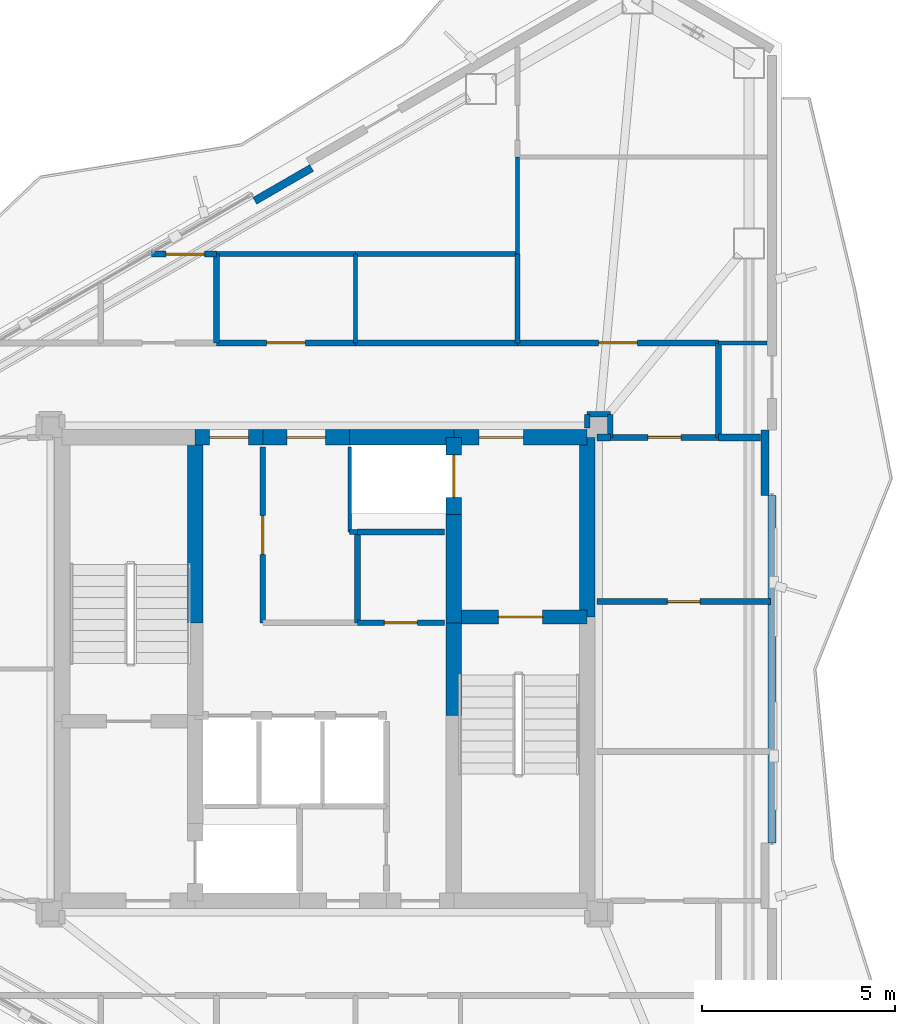
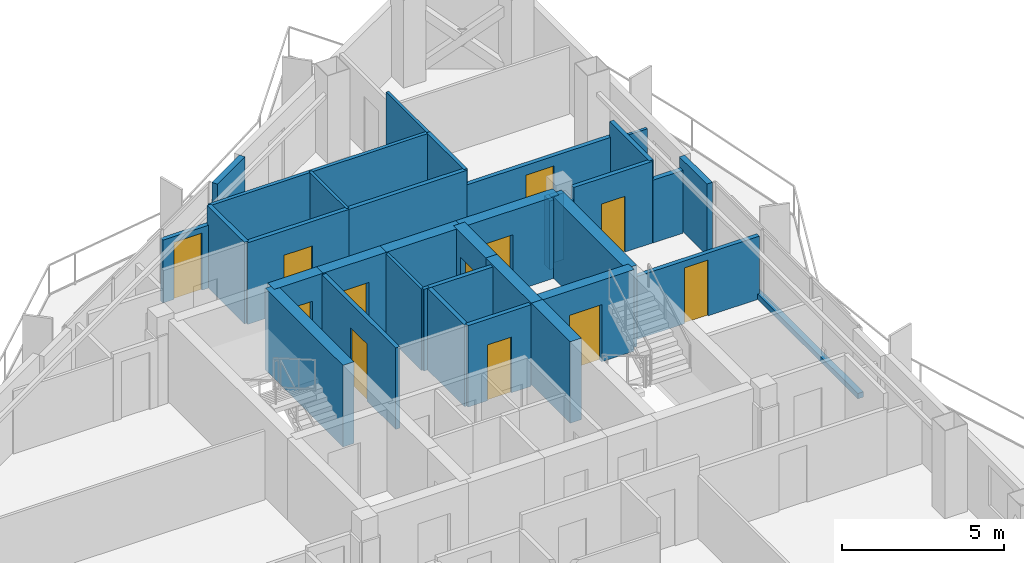
# One storey, part 18 of 21: 38 walls, 12 doors, 12 openings.
"""IFC4 building model written with IfcOpenShell, lengths in metres."""

from ifc_helpers import new_model, si_unit, direction, frame, frame_2d, origin, place, context, subcontext, project, spatial, rectangle, extrude, material, layer, layer_set, type_object, element, fill, save


model = new_model("IFC4")

# Units and contexts
model_context = context("Model", 3, precision=1e-05, world=origin(), true_north=direction((0.0, 1.0)))
body_context = subcontext(model_context, "Body", "Model", "MODEL_VIEW")
ifc_project = project(units=[si_unit("LENGTHUNIT", "METRE"), si_unit("AREAUNIT", "SQUARE_METRE"), si_unit("VOLUMEUNIT", "CUBIC_METRE"), si_unit("PLANEANGLEUNIT", "RADIAN"), si_unit("MASSUNIT", "GRAM", prefix="KILO")], contexts=[model_context])

# Site, building, storey
site_placement = place(None, origin())
site = spatial("IfcSite", under=ifc_project, at=site_placement, CompositionType="ELEMENT")
building_placement = place(site_placement, origin())
building = spatial("IfcBuilding", under=site, at=building_placement, Name="Mersakhor Tower and Convention Hall", CompositionType="ELEMENT")
storey_placement = place(building_placement, frame((0.0, 0.0, 211.800048828125)))
storey = spatial("IfcBuildingStorey", under=building, at=storey_placement, Name="L59", CompositionType="ELEMENT", Elevation=211.800048828125)

# Walls
ifc_material_1 = material(Name="Precast concrete C40/50", Category="concrete")
ifc_layer_1 = layer(ifc_material_1, 0.199951171875)
ifc_layer_set_1 = layer_set([ifc_layer_1], Name="Precast concrete C40/50")
wall_type_1 = type_object("IfcWallType", Name="WL-PAR-200", PredefinedType="PARAPET", material=ifc_layer_set_1)
wall_1_placement = place(storey_placement, frame((27.1923828125, 38.879638671875, 0.0), z_axis=(0.0, 0.0, 1.0), x_axis=(0.866025371046, 0.500000056704, 0.0)))
element("IfcWall", 1, at=wall_1_placement, inside=storey, type_object=wall_type_1, Name="L59 Column Pier Cladding Wall F1-C2", PredefinedType="PARAPET", context=body_context, shape_type="SweptSolid", body=[
    extrude(rectangle(XDim=1.7001953125, YDim=0.199951171875, at=frame_2d((0.85009765625, 0.0))), origin(), (0.0, 0.0, 1.0), 2.68994140625),
])
wall_2_placement = place(storey_placement, frame((40.58837890625, 31.24951171875, 0.0), z_axis=(0.0, 0.0, 1.0), x_axis=(0.0, -1.0, 0.0)))
element("IfcWall", 2, at=wall_2_placement, inside=storey, type_object=wall_type_1, Name="L59 Curtain Wall Upstand Sill F2-B2", PredefinedType="PARAPET", context=body_context, shape_type="SweptSolid", body=[
    extrude(rectangle(XDim=8.9990234375, YDim=0.199951171875, at=frame_2d((4.49951171875, 0.0))), origin(), (0.0, 0.0, 1.0), 0.199951171875),
])
wall_3_placement = place(storey_placement, frame((40.408447265625, 32.949462890625, 0.0), z_axis=(0.0, 0.0, 1.0), x_axis=(0.0, -1.0, 0.0)))
element("IfcWall", 3, at=wall_3_placement, inside=storey, type_object=wall_type_1, Name="L59 Column Pier Cladding Wall F2-C1", PredefinedType="PARAPET", context=body_context, shape_type="SweptSolid", body=[
    extrude(rectangle(XDim=1.699951171875, YDim=0.199951171875, at=frame_2d((0.85009765625, 0.0))), origin(), (0.0, 0.0, 1.0), 2.68994140625),
])
ifc_material_2 = material(Name="Moisture-resistant acoustic drywall studwork", Category="other")
ifc_layer_2 = layer(ifc_material_2, 0.175048828125)
ifc_layer_set_2 = layer_set([ifc_layer_2], Name="Moisture-resistant acoustic drywall studwork")
wall_type_2 = type_object("IfcWallType", Name="WL-PLM-175", PredefinedType="PLUMBINGWALL", material=ifc_layer_set_2)
wall_4_placement = place(storey_placement, frame((36.050048828125, 32.75, 0.0), z_axis=(0.0, 0.0, 1.0), x_axis=(1.0, 0.0, 0.0)))
element("IfcWall", 4, at=wall_4_placement, inside=storey, type_object=wall_type_2, Name="L59 Interior Partition Wall P-046", PredefinedType="PLUMBINGWALL", context=body_context, shape_type="SweptSolid", body=[
    extrude(rectangle(XDim=0.349853515625, YDim=0.175048828125, at=frame_2d((0.1748046875, 0.0))), origin(), (0.0, 0.0, 1.0), 2.594970703125),
])
wall_5_placement = place(storey_placement, frame((39.199951171875, 32.75, 0.0), z_axis=(0.0, 0.0, 1.0), x_axis=(1.0, 0.0, 0.0)))
element("IfcWall", 5, at=wall_5_placement, inside=storey, type_object=wall_type_2, Name="L59 Interior Partition Wall P-047", PredefinedType="PLUMBINGWALL", context=body_context, shape_type="SweptSolid", body=[
    extrude(rectangle(XDim=1.08447265625, YDim=0.175048828125, at=frame_2d((0.542236328125, 0.0))), origin(), (0.0, 0.0, 1.0), 2.364990234375),
])
ifc_material_3 = material(Name="Lightweight gypsum partition", Category="other")
ifc_layer_3 = layer(ifc_material_3, 0.10009765625)
ifc_layer_set_3 = layer_set([ifc_layer_3], Name="Lightweight gypsum partition")
wall_type_3 = type_object("IfcWallType", Name="WL-PRT-100", PredefinedType="PARTITIONING", material=ifc_layer_set_3)
wall_6_placement = place(storey_placement, frame((29.64990234375, 30.300048828125, 0.0), z_axis=(0.0, 0.0, 1.0), x_axis=(0.0, 1.0, 0.0)))
element("IfcWall", 6, at=wall_6_placement, inside=storey, type_object=wall_type_3, Name="L59 Interior Partition Wall P-006", PredefinedType="PARTITIONING", context=body_context, shape_type="SweptSolid", body=[
    extrude(rectangle(XDim=2.199951171875, YDim=0.10009765625, at=frame_2d((1.10009765625, 0.0))), origin(), (0.0, 0.0, 1.0), 3.070068359375),
])
wall_7_placement = place(storey_placement, frame((29.800048828125, 37.5, 0.0), z_axis=(0.0, 0.0, 1.0), x_axis=(0.0, -1.0, 0.0)))
element("IfcWall", 7, at=wall_7_placement, inside=storey, type_object=wall_type_3, Name="L59 Interior Partition Wall P-064", PredefinedType="PARTITIONING", context=body_context, shape_type="SweptSolid", body=[
    extrude(rectangle(XDim=2.300048828125, YDim=0.10009765625, at=frame_2d((1.14990234375, 0.0))), origin(), (0.0, 0.0, 1.0), 3.070068359375),
])
wall_8_placement = place(storey_placement, frame((34.0, 40.010009765625, 0.0), z_axis=(0.0, 0.0, 1.0), x_axis=(0.0, -1.0, 0.0)))
element("IfcWall", 8, at=wall_8_placement, inside=storey, type_object=wall_type_3, Name="L59 Interior Partition Wall P-066", PredefinedType="PARTITIONING", context=body_context, shape_type="SweptSolid", body=[
    extrude(rectangle(XDim=2.510009765625, YDim=0.10009765625, at=frame_2d((1.2548828125, 0.0))), origin(), (0.0, 0.0, 1.0), 3.070068359375),
])
wall_9_placement = place(storey_placement, frame((40.451904296875, 35.199951171875, 0.0), z_axis=(0.0, 0.0, 1.0), x_axis=(-1.0, 0.0, 0.0)))
element("IfcWall", 9, at=wall_9_placement, inside=storey, type_object=wall_type_3, Name="L59 Interior Partition Wall P-068", PredefinedType="PARTITIONING", context=body_context, shape_type="SweptSolid", body=[
    extrude(rectangle(XDim=1.251953125, YDim=0.10009765625, at=frame_2d((0.6259765625, 0.0))), origin(), (0.0, 0.0, 1.0), 2.364990234375),
])
ifc_material_4 = material(Name="Gypsum board acoustic partition", Category="other")
ifc_layer_4 = layer(ifc_material_4, 0.125)
ifc_layer_set_4 = layer_set([ifc_layer_4], Name="Gypsum board acoustic partition")
wall_type_4 = type_object("IfcWallType", Name="WL-PRT-125", PredefinedType="PARTITIONING", material=ifc_layer_set_4)
wall_10_placement = place(storey_placement, frame((29.85009765625, 30.300048828125, 0.0), z_axis=(0.0, 0.0, 1.0), x_axis=(-1.0, 0.0, 0.0)))
element("IfcWall", 10, at=wall_10_placement, inside=storey, type_object=wall_type_4, Name="L59 Interior Partition Wall P-005", PredefinedType="PARTITIONING", context=body_context, shape_type="SweptSolid", body=[
    extrude(rectangle(XDim=0.2001953125, YDim=0.125, at=frame_2d((0.10009765625, 0.0))), origin(), (0.0, 0.0, 1.0), 3.070068359375),
])
wall_11_placement = place(storey_placement, frame((26.199951171875, 37.5, 0.0), z_axis=(0.0, 0.0, 1.0), x_axis=(1.0, 0.0, 0.0)))
element("IfcWall", 11, at=wall_11_placement, inside=storey, type_object=wall_type_4, Name="L59 Interior Partition Wall P-063", PredefinedType="PARTITIONING", context=body_context, shape_type="SweptSolid", body=[
    extrude(rectangle(XDim=3.60009765625, YDim=0.125, at=frame_2d((1.800048828125, 0.0))), origin(), (0.0, 0.0, 1.0), 3.070068359375),
])
wall_12_placement = place(storey_placement, frame((34.0, 37.5, 0.0), z_axis=(0.0, 0.0, 1.0), x_axis=(-1.0, 0.0, 0.0)))
element("IfcWall", 12, at=wall_12_placement, inside=storey, type_object=wall_type_4, Name="L59 Interior Partition Wall P-067", PredefinedType="PARTITIONING", context=body_context, shape_type="SweptSolid", body=[
    extrude(rectangle(XDim=4.199951171875, YDim=0.125, at=frame_2d((2.10009765625, 0.0))), origin(), (0.0, 0.0, 1.0), 3.070068359375),
])
wall_13_placement = place(storey_placement, frame((34.0, 35.199951171875, 0.0), z_axis=(0.0, 0.0, 1.0), x_axis=(0.0, 1.0, 0.0)))
element("IfcWall", 13, at=wall_13_placement, inside=storey, type_object=wall_type_4, Name="L59 Interior Partition Wall P-069", PredefinedType="PARTITIONING", context=body_context, shape_type="SweptSolid", body=[
    extrude(rectangle(XDim=2.300048828125, YDim=0.125, at=frame_2d((1.14990234375, 0.0))), origin(), (0.0, 0.0, 1.0), 3.070068359375),
])
ifc_material_5 = material(Name="Fire-rated gypsum board stud partition", Category="other")
ifc_layer_5 = layer(ifc_material_5, 0.14990234375)
ifc_layer_set_5 = layer_set([ifc_layer_5], Name="Fire-rated gypsum board stud partition")
wall_type_5 = type_object("IfcWallType", Name="WL-PRT-150", PredefinedType="PARTITIONING", material=ifc_layer_set_5)
wall_14_placement = place(storey_placement, frame((32.10009765625, 30.300048828125, 0.0), z_axis=(0.0, 0.0, 1.0), x_axis=(-1.0, 0.0, 0.0)))
element("IfcWall", 14, at=wall_14_placement, inside=storey, type_object=wall_type_5, Name="L59 Interior Partition Wall P-004", PredefinedType="PARTITIONING", context=body_context, shape_type="SweptSolid", body=[
    extrude(rectangle(XDim=2.25, YDim=0.14990234375, at=frame_2d((1.125, 0.0))), origin(), (0.0, 0.0, 1.0), 3.070068359375),
])

# Wall, opening, door
wall_15_placement = place(storey_placement, frame((27.39990234375, 32.5, 0.0), z_axis=(0.0, 0.0, 1.0), x_axis=(0.0, -1.0, 0.0)))
wall_15 = element("IfcWall", 15, at=wall_15_placement, inside=storey, type_object=wall_type_5, Name="L59 Interior Partition Wall P-013", PredefinedType="PARTITIONING", context=body_context, shape_type="SweptSolid", body=[
    extrude(rectangle(XDim=4.550048828125, YDim=0.14990234375, at=frame_2d((2.27490234375, 0.0))), origin(), (0.0, 0.0, 1.0), 3.070068359375),
])
opening_1_placement = place(wall_15_placement, frame((1.77490234375, 0.0, 0.0)))
opening_1 = element("IfcOpeningElement", 16, at=opening_1_placement, cuts=wall_15, Name="Opening FD-01", PredefinedType="OPENING", context=body_context, shape_type="SweptSolid", body=[
    extrude(rectangle(XDim=1.0, YDim=2.14990234375, at=frame_2d((0.5, 1.074951171875))), frame((0.0, 0.0849609375, 0.0), z_axis=(0.0, -1.0, 0.0), x_axis=(1.0, 0.0, 0.0)), (0.0, 0.0, 1.0), 0.169921875),
])
ifc_material_6 = material(Name="Fire-rated hardwood leaf and painted steel frame", Category="steel")
door_type_1 = type_object("IfcDoorType", Name="DR-INT-FLT-100x215", OperationType="NOTDEFINED", PredefinedType="DOOR", material=ifc_material_6)
door_1_placement = place(opening_1_placement, origin())
door_1 = element("IfcDoor", 17, at=door_1_placement, inside=storey, type_object=door_type_1, Name="L59 Central Passenger Lift Lobby to Communal Resident Laundry Room Door", OperationType="SINGLE_SWING_LEFT", OverallHeight=2.14990234375, OverallWidth=1.0, PredefinedType="DOOR", context=body_context, shape_type="SweptSolid", body=[
    extrude(rectangle(XDim=1.0, YDim=2.14990234375, at=frame_2d((0.5, 1.074951171875))), frame((0.0, 0.02490234375, 0.0), z_axis=(0.0, -1.0, 0.0), x_axis=(1.0, 0.0, 0.0)), (0.0, 0.0, 1.0), 0.050048828125),
])
fill(opening_1, door_1)

wall_16_placement = place(storey_placement, frame((29.85009765625, 27.949951171875, 0.0), z_axis=(0.0, 0.0, 1.0), x_axis=(1.0, 0.0, 0.0)))
wall_16 = element("IfcWall", 18, at=wall_16_placement, inside=storey, type_object=wall_type_5, Name="L59 Interior Partition Wall P-015", PredefinedType="PARTITIONING", context=body_context, shape_type="SweptSolid", body=[
    extrude(rectangle(XDim=2.25, YDim=0.14990234375, at=frame_2d((1.125, 0.0))), origin(), (0.0, 0.0, 1.0), 3.070068359375),
])
opening_2_placement = place(wall_16_placement, frame((0.699951171875, 0.0, 0.0)))
opening_2 = element("IfcOpeningElement", 19, at=opening_2_placement, cuts=wall_16, Name="Opening SVD-01", PredefinedType="OPENING", context=body_context, shape_type="SweptSolid", body=[
    extrude(rectangle(XDim=0.85009765625, YDim=2.10009765625, at=frame_2d((0.425048828125, 1.050048828125))), frame((0.0, 0.0849609375, 0.0), z_axis=(0.0, -1.0, 0.0), x_axis=(1.0, 0.0, 0.0)), (0.0, 0.0, 1.0), 0.169921875),
])
ifc_material_7 = material(Name="Fire-rated hardwood leaf and painted steel frame", Category="steel")
door_type_2 = type_object("IfcDoorType", Name="DR-INT-SVC-085x210", OperationType="NOTDEFINED", PredefinedType="DOOR", material=ifc_material_7)
door_2_placement = place(opening_2_placement, origin())
door_2 = element("IfcDoor", 20, at=door_2_placement, inside=storey, type_object=door_type_2, Name="L59 Central Passenger Lift Lobby to Resident Pram and Linen Store Room Door", OperationType="SINGLE_SWING_RIGHT", OverallHeight=2.10009765625, OverallWidth=0.85009765625, PredefinedType="DOOR", context=body_context, shape_type="SweptSolid", body=[
    extrude(rectangle(XDim=0.85009765625, YDim=2.10009765625, at=frame_2d((0.425048828125, 1.050048828125))), frame((0.0, 0.02490234375, 0.0), z_axis=(0.0, -1.0, 0.0), x_axis=(1.0, 0.0, 0.0)), (0.0, 0.0, 1.0), 0.050048828125),
])
fill(opening_2, door_2)

# Wall
wall_17_placement = place(storey_placement, frame((39.199951171875, 35.199951171875, 0.0), z_axis=(0.0, 0.0, 1.0), x_axis=(0.0, -1.0, 0.0)))
element("IfcWall", 21, at=wall_17_placement, inside=storey, type_object=wall_type_5, Name="L59 Interior Partition Wall P-016", PredefinedType="PARTITIONING", context=body_context, shape_type="SweptSolid", body=[
    extrude(rectangle(XDim=2.449951171875, YDim=0.14990234375, at=frame_2d((1.22509765625, 0.0))), origin(), (0.0, 0.0, 1.0), 3.070068359375),
])

# Wall, opening, door
wall_18_placement = place(storey_placement, frame((39.199951171875, 32.75, 0.0), z_axis=(0.0, 0.0, 1.0), x_axis=(-1.0, 0.0, 0.0)))
wall_18 = element("IfcWall", 22, at=wall_18_placement, inside=storey, type_object=wall_type_5, Name="L59 Interior Partition Wall P-017", PredefinedType="PARTITIONING", context=body_context, shape_type="SweptSolid", body=[
    extrude(rectangle(XDim=2.800048828125, YDim=0.14990234375, at=frame_2d((1.39990234375, 0.0))), origin(), (0.0, 0.0, 1.0), 3.070068359375),
])
opening_3_placement = place(wall_18_placement, frame((0.97509765625, 0.0, 0.0)))
opening_3 = element("IfcOpeningElement", 23, at=opening_3_placement, cuts=wall_18, Name="Opening SVD-01", PredefinedType="OPENING", context=body_context, shape_type="SweptSolid", body=[
    extrude(rectangle(XDim=0.85009765625, YDim=2.10009765625, at=frame_2d((0.425048828125, 1.050048828125))), frame((0.0, 0.0849609375, 0.0), z_axis=(0.0, -1.0, 0.0), x_axis=(1.0, 0.0, 0.0)), (0.0, 0.0, 1.0), 0.169921875),
])
door_3_placement = place(opening_3_placement, origin())
door_3 = element("IfcDoor", 24, at=door_3_placement, inside=storey, type_object=door_type_2, Name="L59 Residential North Gallery Corridor to L59 East Wing Public Restroom WC Door", OperationType="SINGLE_SWING_RIGHT", OverallHeight=2.10009765625, OverallWidth=0.85009765625, PredefinedType="DOOR", context=body_context, shape_type="SweptSolid", body=[
    extrude(rectangle(XDim=0.85009765625, YDim=2.10009765625, at=frame_2d((0.425048828125, 1.050048828125))), frame((0.0, 0.02490234375, 0.0), z_axis=(0.0, -1.0, 0.0), x_axis=(1.0, 0.0, 0.0)), (0.0, 0.0, 1.0), 0.050048828125),
])
fill(opening_3, door_3)

# Walls
wall_19_placement = place(storey_placement, frame((36.39990234375, 32.75, 0.0), z_axis=(0.0, 0.0, 1.0), x_axis=(0.0, 1.0, 0.0)))
element("IfcWall", 25, at=wall_19_placement, inside=storey, type_object=wall_type_5, Name="L59 Interior Partition Wall P-018", PredefinedType="PARTITIONING", context=body_context, shape_type="SweptSolid", body=[
    extrude(rectangle(XDim=0.60009765625, YDim=0.14990234375, at=frame_2d((0.300048828125, 0.0))), origin(), (0.0, 0.0, 1.0), 2.518310546875),
])
wall_20_placement = place(storey_placement, frame((36.39990234375, 33.35009765625, 0.0), z_axis=(0.0, 0.0, 1.0), x_axis=(-1.0, 0.0, 0.0)))
element("IfcWall", 26, at=wall_20_placement, inside=storey, type_object=wall_type_5, Name="L59 Interior Partition Wall P-019", PredefinedType="PARTITIONING", context=body_context, shape_type="SweptSolid", body=[
    extrude(rectangle(XDim=0.599853515625, YDim=0.14990234375, at=frame_2d((0.2998046875, 0.0))), origin(), (0.0, 0.0, 1.0), 2.518310546875),
])
wall_21_placement = place(storey_placement, frame((35.800048828125, 33.35009765625, 0.0), z_axis=(0.0, 0.0, 1.0), x_axis=(0.0, -1.0, 0.0)))
element("IfcWall", 27, at=wall_21_placement, inside=storey, type_object=wall_type_5, Name="L59 Interior Partition Wall P-020", PredefinedType="PARTITIONING", context=body_context, shape_type="SweptSolid", body=[
    extrude(rectangle(XDim=0.35009765625, YDim=0.14990234375, at=frame_2d((0.175048828125, 0.0))), origin(), (0.0, 0.0, 1.0), 2.594970703125),
])

# Wall, opening, door
wall_22_placement = place(storey_placement, frame((26.199951171875, 35.199951171875, 0.0), z_axis=(0.0, 0.0, 1.0), x_axis=(1.0, 0.0, 0.0)))
wall_22 = element("IfcWall", 28, at=wall_22_placement, inside=storey, type_object=wall_type_5, Name="L59 Interior Partition Wall P-028", PredefinedType="PARTITIONING", context=body_context, shape_type="SweptSolid", body=[
    extrude(rectangle(XDim=3.60009765625, YDim=0.14990234375, at=frame_2d((1.800048828125, 0.0))), origin(), (0.0, 0.0, 1.0), 3.070068359375),
])
opening_4_placement = place(wall_22_placement, frame((1.300048828125, 0.0, 0.0)))
opening_4 = element("IfcOpeningElement", 29, at=opening_4_placement, cuts=wall_22, Name="Opening FD-01", PredefinedType="OPENING", context=body_context, shape_type="SweptSolid", body=[
    extrude(rectangle(XDim=1.0, YDim=2.14990234375, at=frame_2d((0.5, 1.074951171875))), frame((0.0, 0.0849609375, 0.0), z_axis=(0.0, -1.0, 0.0), x_axis=(1.0, 0.0, 0.0)), (0.0, 0.0, 1.0), 0.169921875),
])
door_4_placement = place(opening_4_placement, origin())
door_4 = element("IfcDoor", 30, at=door_4_placement, inside=storey, type_object=door_type_1, Name="L59 Residential North Gallery Corridor to L59 Floor Shared Tea Pantry 1-2 Door", OperationType="SINGLE_SWING_RIGHT", OverallHeight=2.14990234375, OverallWidth=1.0, PredefinedType="DOOR", context=body_context, shape_type="SweptSolid", body=[
    extrude(rectangle(XDim=1.0, YDim=2.14990234375, at=frame_2d((0.5, 1.074951171875))), frame((0.0, 0.02490234375, 0.0), z_axis=(0.0, -1.0, 0.0), x_axis=(1.0, 0.0, 0.0)), (0.0, 0.0, 1.0), 0.050048828125),
])
fill(opening_4, door_4)

# Wall
wall_23_placement = place(storey_placement, frame((29.800048828125, 35.199951171875, 0.0), z_axis=(0.0, 0.0, 1.0), x_axis=(1.0, 0.0, 0.0)))
element("IfcWall", 31, at=wall_23_placement, inside=storey, type_object=wall_type_5, Name="L59 Interior Partition Wall P-029", PredefinedType="PARTITIONING", context=body_context, shape_type="SweptSolid", body=[
    extrude(rectangle(XDim=4.199951171875, YDim=0.14990234375, at=frame_2d((2.10009765625, 0.0))), origin(), (0.0, 0.0, 1.0), 3.070068359375),
])

# Wall, opening, door
wall_24_placement = place(storey_placement, frame((34.0, 35.199951171875, 0.0), z_axis=(0.0, 0.0, 1.0), x_axis=(1.0, 0.0, 0.0)))
wall_24 = element("IfcWall", 32, at=wall_24_placement, inside=storey, type_object=wall_type_5, Name="L59 Interior Partition Wall P-030", PredefinedType="PARTITIONING", context=body_context, shape_type="SweptSolid", body=[
    extrude(rectangle(XDim=5.199951171875, YDim=0.14990234375, at=frame_2d((2.60009765625, 0.0))), origin(), (0.0, 0.0, 1.0), 2.518310546875),
])
opening_5_placement = place(wall_24_placement, frame((2.10009765625, 0.0, 0.0)))
opening_5 = element("IfcOpeningElement", 33, at=opening_5_placement, cuts=wall_24, Name="Opening FD-01", PredefinedType="OPENING", context=body_context, shape_type="SweptSolid", body=[
    extrude(rectangle(XDim=1.0, YDim=2.14990234375, at=frame_2d((0.5, 1.074951171875))), frame((0.0, 0.0849609375, 0.0), z_axis=(0.0, -1.0, 0.0), x_axis=(1.0, 0.0, 0.0)), (0.0, 0.0, 1.0), 0.169921875),
])
door_5_placement = place(opening_5_placement, origin())
door_5 = element("IfcDoor", 34, at=door_5_placement, inside=storey, type_object=door_type_1, Name="L59 Residential North Gallery Corridor to L59 Floor Residents Study Room 1-4 Door", OperationType="SINGLE_SWING_LEFT", OverallHeight=2.14990234375, OverallWidth=1.0, PredefinedType="DOOR", context=body_context, shape_type="SweptSolid", body=[
    extrude(rectangle(XDim=1.0, YDim=2.14990234375, at=frame_2d((0.5, 1.074951171875))), frame((0.0, 0.02490234375, 0.0), z_axis=(0.0, -1.0, 0.0), x_axis=(1.0, 0.0, 0.0)), (0.0, 0.0, 1.0), 0.050048828125),
])
fill(opening_5, door_5)

wall_25_placement = place(storey_placement, frame((40.55029296875, 28.5, 0.0), z_axis=(0.0, 0.0, 1.0), x_axis=(-1.0, 0.0, 0.0)))
wall_25 = element("IfcWall", 35, at=wall_25_placement, inside=storey, type_object=wall_type_5, Name="L59 Interior Partition Wall P-048", PredefinedType="PARTITIONING", context=body_context, shape_type="SweptSolid", body=[
    extrude(rectangle(XDim=4.500244140625, YDim=0.14990234375, at=frame_2d((2.25, 0.0))), origin(), (0.0, 0.0, 1.0), 2.364990234375),
])
opening_6_placement = place(wall_25_placement, frame((1.8251953125, 0.0, 0.0)))
opening_6 = element("IfcOpeningElement", 36, at=opening_6_placement, cuts=wall_25, Name="Opening SVD-01", PredefinedType="OPENING", context=body_context, shape_type="SweptSolid", body=[
    extrude(rectangle(XDim=0.85009765625, YDim=2.10009765625, at=frame_2d((0.425048828125, 1.050048828125))), frame((0.0, 0.0849609375, 0.0), z_axis=(0.0, -1.0, 0.0), x_axis=(1.0, 0.0, 0.0)), (0.0, 0.0, 1.0), 0.169921875),
])
door_6_placement = place(opening_6_placement, origin())
door_6 = element("IfcDoor", 37, at=door_6_placement, inside=storey, type_object=door_type_2, Name="L59 L59 East Wing Public Restroom WC to L59 East Wing Linen Store Room Door", OperationType="SINGLE_SWING_LEFT", OverallHeight=2.10009765625, OverallWidth=0.85009765625, PredefinedType="DOOR", context=body_context, shape_type="SweptSolid", body=[
    extrude(rectangle(XDim=0.85009765625, YDim=2.10009765625, at=frame_2d((0.425048828125, 1.050048828125))), frame((0.0, 0.02490234375, 0.0), z_axis=(0.0, -1.0, 0.0), x_axis=(1.0, 0.0, 0.0)), (0.0, 0.0, 1.0), 0.050048828125),
])
fill(opening_6, door_6)

# Wall
wall_26_placement = place(storey_placement, frame((29.85009765625, 30.300048828125, 0.0), z_axis=(0.0, 0.0, 1.0), x_axis=(0.0, -1.0, 0.0)))
element("IfcWall", 38, at=wall_26_placement, inside=storey, type_object=wall_type_5, Name="L59 Interior Partition Wall P-049", PredefinedType="PARTITIONING", context=body_context, shape_type="SweptSolid", body=[
    extrude(rectangle(XDim=2.35009765625, YDim=0.14990234375, at=frame_2d((1.175048828125, 0.0))), origin(), (0.0, 0.0, 1.0), 3.070068359375),
])

# Wall, opening, door
wall_27_placement = place(storey_placement, frame((24.51171875, 37.5, 0.0), z_axis=(0.0, 0.0, 1.0), x_axis=(1.0, 0.0, 0.0)))
wall_27 = element("IfcWall", 39, at=wall_27_placement, inside=storey, type_object=wall_type_5, Name="L59 Interior Partition Wall P-060", PredefinedType="PARTITIONING", context=body_context, shape_type="SweptSolid", body=[
    extrude(rectangle(XDim=1.688232421875, YDim=0.14990234375, at=frame_2d((0.84423828125, 0.0))), origin(), (0.0, 0.0, 1.0), 2.364990234375),
])
opening_7_placement = place(wall_27_placement, frame((0.3837890625, 0.0, 0.0)))
opening_7 = element("IfcOpeningElement", 40, at=opening_7_placement, cuts=wall_27, Name="Opening FD-01", PredefinedType="OPENING", context=body_context, shape_type="SweptSolid", body=[
    extrude(rectangle(XDim=1.0, YDim=2.14990234375, at=frame_2d((0.5, 1.074951171875))), frame((0.0, 0.0849609375, 0.0), z_axis=(0.0, -1.0, 0.0), x_axis=(1.0, 0.0, 0.0)), (0.0, 0.0, 1.0), 0.169921875),
])
door_7_placement = place(opening_7_placement, origin())
door_7 = element("IfcDoor", 41, at=door_7_placement, inside=storey, type_object=door_type_1, Name="L59 L59 Floor Household Store Room 1-1 to L59 Floor Residents Study Room 1-3 Door", OperationType="SINGLE_SWING_RIGHT", OverallHeight=2.14990234375, OverallWidth=1.0, PredefinedType="DOOR", context=body_context, shape_type="SweptSolid", body=[
    extrude(rectangle(XDim=1.0, YDim=2.14990234375, at=frame_2d((0.5, 1.074951171875))), frame((0.0, 0.02490234375, 0.0), z_axis=(0.0, -1.0, 0.0), x_axis=(1.0, 0.0, 0.0)), (0.0, 0.0, 1.0), 0.050048828125),
])
fill(opening_7, door_7)

# Wall
wall_28_placement = place(storey_placement, frame((26.199951171875, 37.5, 0.0), z_axis=(0.0, 0.0, 1.0), x_axis=(0.0, -1.0, 0.0)))
element("IfcWall", 42, at=wall_28_placement, inside=storey, type_object=wall_type_5, Name="L59 Interior Partition Wall P-061", PredefinedType="PARTITIONING", context=body_context, shape_type="SweptSolid", body=[
    extrude(rectangle(XDim=2.300048828125, YDim=0.14990234375, at=frame_2d((1.14990234375, 0.0))), origin(), (0.0, 0.0, 1.0), 3.070068359375),
])

# Wall, opening, door
ifc_material_8 = material(Name="Concrete C50/60", Category="concrete")
ifc_layer_6 = layer(ifc_material_8, 0.35009765625)
ifc_layer_set_6 = layer_set([ifc_layer_6], Name="Concrete C50/60")
wall_type_6 = type_object("IfcWallType", Name="WL-SHR-350", PredefinedType="SHEAR", material=ifc_layer_set_6)
wall_29_placement = place(storey_placement, frame((32.35009765625, 28.10009765625, 0.0), z_axis=(0.0, 0.0, 1.0), x_axis=(1.0, 0.0, 0.0)))
wall_29 = element("IfcWall", 43, at=wall_29_placement, inside=storey, type_object=wall_type_6, Name="L59 Core Wall CS-ST2-N", PredefinedType="SHEAR", context=body_context, shape_type="SweptSolid", body=[
    extrude(rectangle(XDim=3.449951171875, YDim=0.35009765625, at=frame_2d((1.72509765625, 0.0))), origin(), (0.0, 0.0, 1.0), 3.070068359375),
])
opening_8_placement = place(wall_29_placement, frame((1.14990234375, 0.0, 0.0)))
opening_8 = element("IfcOpeningElement", 44, at=opening_8_placement, cuts=wall_29, Name="Opening SD-01", PredefinedType="OPENING", context=body_context, shape_type="SweptSolid", body=[
    extrude(rectangle(XDim=1.14990234375, YDim=2.14990234375, at=frame_2d((0.574951171875, 1.074951171875))), frame((0.0, 0.18505859375, 0.0), z_axis=(0.0, -1.0, 0.0), x_axis=(1.0, 0.0, 0.0)), (0.0, 0.0, 1.0), 0.3701171875),
])
ifc_material_9 = material(Name="Fire-rated hardwood leaf and painted steel frame", Category="steel")
door_type_3 = type_object("IfcDoorType", Name="DR-INT-STAIR-115x215", OperationType="NOTDEFINED", PredefinedType="DOOR", material=ifc_material_9)
door_8_placement = place(opening_8_placement, origin())
door_8 = element("IfcDoor", 45, at=door_8_placement, inside=storey, type_object=door_type_3, Name="L59 Exit Stair ST-2 Enclosure Door", OperationType="SINGLE_SWING_RIGHT", OverallHeight=2.14990234375, OverallWidth=1.14990234375, PredefinedType="DOOR", context=body_context, shape_type="SweptSolid", body=[
    extrude(rectangle(XDim=1.14990234375, YDim=2.14990234375, at=frame_2d((0.574951171875, 1.074951171875))), frame((0.0, 0.02490234375, 0.0), z_axis=(0.0, -1.0, 0.0), x_axis=(1.0, 0.0, 0.0)), (0.0, 0.0, 1.0), 0.050048828125),
])
fill(opening_8, door_8)

ifc_material_10 = material(Name="Concrete C60/75", Category="concrete")
ifc_layer_7 = layer(ifc_material_10, 0.39990234375)
ifc_layer_set_7 = layer_set([ifc_layer_7], Name="Concrete C60/75")
wall_type_7 = type_object("IfcWallType", Name="WL-SHR-400", PredefinedType="SHEAR", material=ifc_layer_set_7)
wall_30_placement = place(storey_placement, frame((25.64990234375, 32.75, 0.0), z_axis=(0.0, 0.0, 1.0), x_axis=(1.0, 0.0, 0.0)))
wall_30 = element("IfcWall", 46, at=wall_30_placement, inside=storey, type_object=wall_type_7, Name="L59 Core Wall CW-N2A", PredefinedType="SHEAR", context=body_context, shape_type="SweptSolid", body=[
    extrude(rectangle(XDim=1.75, YDim=0.39990234375, at=frame_2d((0.875, 0.0))), origin(), (0.0, 0.0, 1.0), 3.070068359375),
])
opening_9_placement = place(wall_30_placement, frame((0.375, 0.0, 0.0)))
opening_9 = element("IfcOpeningElement", 47, at=opening_9_placement, cuts=wall_30, Name="Opening CFD-01", PredefinedType="OPENING", context=body_context, shape_type="SweptSolid", body=[
    extrude(rectangle(XDim=1.0, YDim=2.14990234375, at=frame_2d((0.5, 1.074951171875))), frame((0.0, 0.2099609375, 0.0), z_axis=(0.0, -1.0, 0.0), x_axis=(1.0, 0.0, 0.0)), (0.0, 0.0, 1.0), 0.419921875),
])
ifc_material_11 = material(Name="Fire-rated hardwood leaf and painted steel frame", Category="steel")
door_type_4 = type_object("IfcDoorType", Name="DR-CORE-FD-100x215", OperationType="NOTDEFINED", PredefinedType="DOOR", material=ifc_material_11)
door_9_placement = place(opening_9_placement, origin())
door_9 = element("IfcDoor", 48, at=door_9_placement, inside=storey, type_object=door_type_4, Name="L59 Lift Lobby North Corridor Door", OperationType="SINGLE_SWING_LEFT", OverallHeight=2.14990234375, OverallWidth=1.0, PredefinedType="DOOR", context=body_context, shape_type="SweptSolid", body=[
    extrude(rectangle(XDim=1.0, YDim=2.14990234375, at=frame_2d((0.5, 1.074951171875))), frame((0.0, 0.02490234375, 0.0), z_axis=(0.0, -1.0, 0.0), x_axis=(1.0, 0.0, 0.0)), (0.0, 0.0, 1.0), 0.050048828125),
])
fill(opening_9, door_9)

wall_31_placement = place(storey_placement, frame((27.39990234375, 32.75, 0.0), z_axis=(0.0, 0.0, 1.0), x_axis=(1.0, 0.0, 0.0)))
wall_31 = element("IfcWall", 49, at=wall_31_placement, inside=storey, type_object=wall_type_7, Name="L59 Core Wall CW-N2B", PredefinedType="SHEAR", context=body_context, shape_type="SweptSolid", body=[
    extrude(rectangle(XDim=2.25, YDim=0.39990234375, at=frame_2d((1.125, 0.0))), origin(), (0.0, 0.0, 1.0), 3.070068359375),
])
opening_10_placement = place(wall_31_placement, frame((0.625, 0.0, 0.0)))
opening_10 = element("IfcOpeningElement", 50, at=opening_10_placement, cuts=wall_31, Name="Opening FD-01", PredefinedType="OPENING", context=body_context, shape_type="SweptSolid", body=[
    extrude(rectangle(XDim=1.0, YDim=2.14990234375, at=frame_2d((0.5, 1.074951171875))), frame((0.0, 0.2099609375, 0.0), z_axis=(0.0, -1.0, 0.0), x_axis=(1.0, 0.0, 0.0)), (0.0, 0.0, 1.0), 0.419921875),
])
door_10_placement = place(opening_10_placement, origin())
door_10 = element("IfcDoor", 51, at=door_10_placement, inside=storey, type_object=door_type_1, Name="L59 Residential North Gallery Corridor to Communal Resident Laundry Room Door", OperationType="SINGLE_SWING_LEFT", OverallHeight=2.14990234375, OverallWidth=1.0, PredefinedType="DOOR", context=body_context, shape_type="SweptSolid", body=[
    extrude(rectangle(XDim=1.0, YDim=2.14990234375, at=frame_2d((0.5, 1.074951171875))), frame((0.0, 0.02490234375, 0.0), z_axis=(0.0, -1.0, 0.0), x_axis=(1.0, 0.0, 0.0)), (0.0, 0.0, 1.0), 0.050048828125),
])
fill(opening_10, door_10)

# Wall
wall_32_placement = place(storey_placement, frame((29.64990234375, 32.75, 0.0), z_axis=(0.0, 0.0, 1.0), x_axis=(1.0, 0.0, 0.0)))
element("IfcWall", 52, at=wall_32_placement, inside=storey, type_object=wall_type_7, Name="L59 Core Wall CW-N3", PredefinedType="SHEAR", context=body_context, shape_type="SweptSolid", body=[
    extrude(rectangle(XDim=2.7001953125, YDim=0.39990234375, at=frame_2d((1.35009765625, 0.0))), origin(), (0.0, 0.0, 1.0), 3.070068359375),
])

# Wall, opening, door
wall_33_placement = place(storey_placement, frame((32.35009765625, 32.75, 0.0), z_axis=(0.0, 0.0, 1.0), x_axis=(1.0, 0.0, 0.0)))
wall_33 = element("IfcWall", 53, at=wall_33_placement, inside=storey, type_object=wall_type_7, Name="L59 Core Wall CW-N4", PredefinedType="SHEAR", context=body_context, shape_type="SweptSolid", body=[
    extrude(rectangle(XDim=3.449951171875, YDim=0.39990234375, at=frame_2d((1.72509765625, 0.0))), origin(), (0.0, 0.0, 1.0), 3.070068359375),
])
opening_11_placement = place(wall_33_placement, frame((0.64990234375, 0.0, 0.0)))
opening_11 = element("IfcOpeningElement", 54, at=opening_11_placement, cuts=wall_33, Name="Opening SD-01", PredefinedType="OPENING", context=body_context, shape_type="SweptSolid", body=[
    extrude(rectangle(XDim=1.14990234375, YDim=2.14990234375, at=frame_2d((0.574951171875, 1.074951171875))), frame((0.0, 0.2099609375, 0.0), z_axis=(0.0, -1.0, 0.0), x_axis=(1.0, 0.0, 0.0)), (0.0, 0.0, 1.0), 0.419921875),
])
door_11_placement = place(opening_11_placement, origin())
door_11 = element("IfcDoor", 55, at=door_11_placement, inside=storey, type_object=door_type_3, Name="L59 Firefighting Lobby East Fire Door", OperationType="SINGLE_SWING_RIGHT", OverallHeight=2.14990234375, OverallWidth=1.14990234375, PredefinedType="DOOR", context=body_context, shape_type="SweptSolid", body=[
    extrude(rectangle(XDim=1.14990234375, YDim=2.14990234375, at=frame_2d((0.574951171875, 1.074951171875))), frame((0.0, 0.02490234375, 0.0), z_axis=(0.0, -1.0, 0.0), x_axis=(1.0, 0.0, 0.0)), (0.0, 0.0, 1.0), 0.050048828125),
])
fill(opening_11, door_11)

# Walls
wall_34_placement = place(storey_placement, frame((35.800048828125, 32.75, 0.0), z_axis=(0.0, 0.0, 1.0), x_axis=(0.0, -1.0, 0.0)))
element("IfcWall", 56, at=wall_34_placement, inside=storey, type_object=wall_type_7, Name="L59 Core Wall CW-E1", PredefinedType="SHEAR", context=body_context, shape_type="SweptSolid", body=[
    extrude(rectangle(XDim=4.64990234375, YDim=0.39990234375, at=frame_2d((2.324951171875, 0.0))), origin(), (0.0, 0.0, 1.0), 3.070068359375),
])
wall_35_placement = place(storey_placement, frame((25.64990234375, 27.949951171875, 0.0), z_axis=(0.0, 0.0, 1.0), x_axis=(0.0, 1.0, 0.0)))
element("IfcWall", 57, at=wall_35_placement, inside=storey, type_object=wall_type_7, Name="L59 Core Wall CS-W-ST1", PredefinedType="SHEAR", context=body_context, shape_type="SweptSolid", body=[
    extrude(rectangle(XDim=4.800048828125, YDim=0.39990234375, at=frame_2d((2.39990234375, 0.0))), origin(), (0.0, 0.0, 1.0), 3.070068359375),
])
wall_36_placement = place(storey_placement, frame((32.35009765625, 25.550048828125, 0.0), z_axis=(0.0, 0.0, 1.0), x_axis=(0.0, 1.0, 0.0)))
element("IfcWall", 58, at=wall_36_placement, inside=storey, type_object=wall_type_7, Name="L59 Core Wall CS-E-LOB", PredefinedType="SHEAR", context=body_context, shape_type="SweptSolid", body=[
    extrude(rectangle(XDim=2.39990234375, YDim=0.39990234375, at=frame_2d((1.199951171875, 0.0))), origin(), (0.0, 0.0, 1.0), 3.070068359375),
])
wall_37_placement = place(storey_placement, frame((32.35009765625, 27.949951171875, 0.0), z_axis=(0.0, 0.0, 1.0), x_axis=(0.0, 1.0, 0.0)))
element("IfcWall", 59, at=wall_37_placement, inside=storey, type_object=wall_type_7, Name="L59 Core Wall CS-E-MID", PredefinedType="SHEAR", context=body_context, shape_type="SweptSolid", body=[
    extrude(rectangle(XDim=2.800048828125, YDim=0.39990234375, at=frame_2d((1.39990234375, 0.0))), origin(), (0.0, 0.0, 1.0), 3.070068359375),
])

# Wall, opening, door
wall_38_placement = place(storey_placement, frame((32.35009765625, 30.75, 0.0), z_axis=(0.0, 0.0, 1.0), x_axis=(0.0, 1.0, 0.0)))
wall_38 = element("IfcWall", 60, at=wall_38_placement, inside=storey, type_object=wall_type_7, Name="L59 Core Wall CS-E-FFL", PredefinedType="SHEAR", context=body_context, shape_type="SweptSolid", body=[
    extrude(rectangle(XDim=2.0, YDim=0.39990234375, at=frame_2d((1.0, 0.0))), origin(), (0.0, 0.0, 1.0), 3.070068359375),
])
opening_12_placement = place(wall_38_placement, frame((0.449951171875, 0.0, 0.0)))
opening_12 = element("IfcOpeningElement", 61, at=opening_12_placement, cuts=wall_38, Name="Opening LD-FFL2", PredefinedType="OPENING", context=body_context, shape_type="SweptSolid", body=[
    extrude(rectangle(XDim=1.10009765625, YDim=2.14990234375, at=frame_2d((0.550048828125, 1.074951171875))), frame((0.0, 0.2099609375, 0.0), z_axis=(0.0, -1.0, 0.0), x_axis=(1.0, 0.0, 0.0)), (0.0, 0.0, 1.0), 0.419921875),
])
ifc_material_12 = material(Name="Fire-rated brushed stainless steel sliding landing door", Category="steel")
door_type_5 = type_object("IfcDoorType", Name="DR-LIFT-SLD-110x215", OperationType="NOTDEFINED", PredefinedType="DOOR", material=ifc_material_12)
door_12_placement = place(opening_12_placement, origin())
door_12 = element("IfcDoor", 62, at=door_12_placement, inside=storey, type_object=door_type_5, Name="L59 Firefighting Lift Landing Door LD-FFL2", OperationType="SLIDING_TO_LEFT", OverallHeight=2.14990234375, OverallWidth=1.10009765625, PredefinedType="DOOR", context=body_context, shape_type="SweptSolid", body=[
    extrude(rectangle(XDim=1.10009765625, YDim=2.14990234375, at=frame_2d((0.550048828125, 1.074951171875))), frame((0.0, 0.02490234375, 0.0), z_axis=(0.0, -1.0, 0.0), x_axis=(1.0, 0.0, 0.0)), (0.0, 0.0, 1.0), 0.050048828125),
])
fill(opening_12, door_12)

save(model, "model.ifc")
